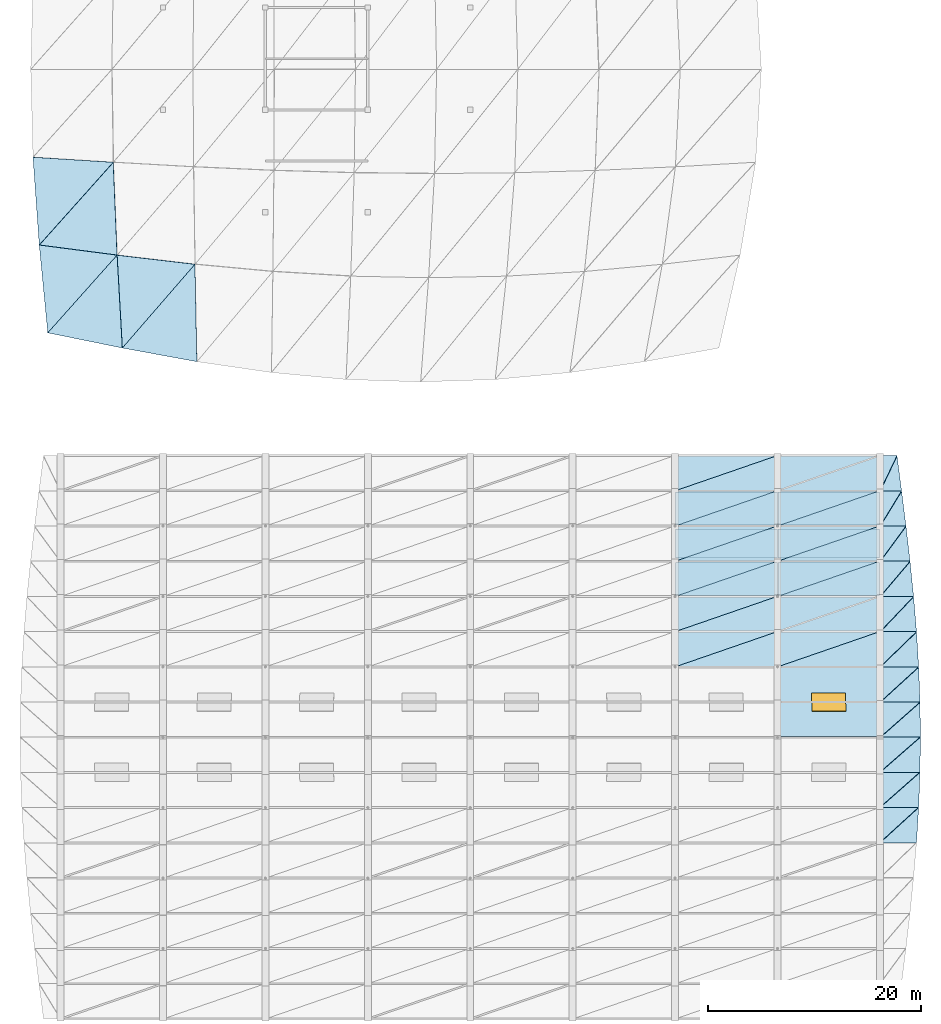
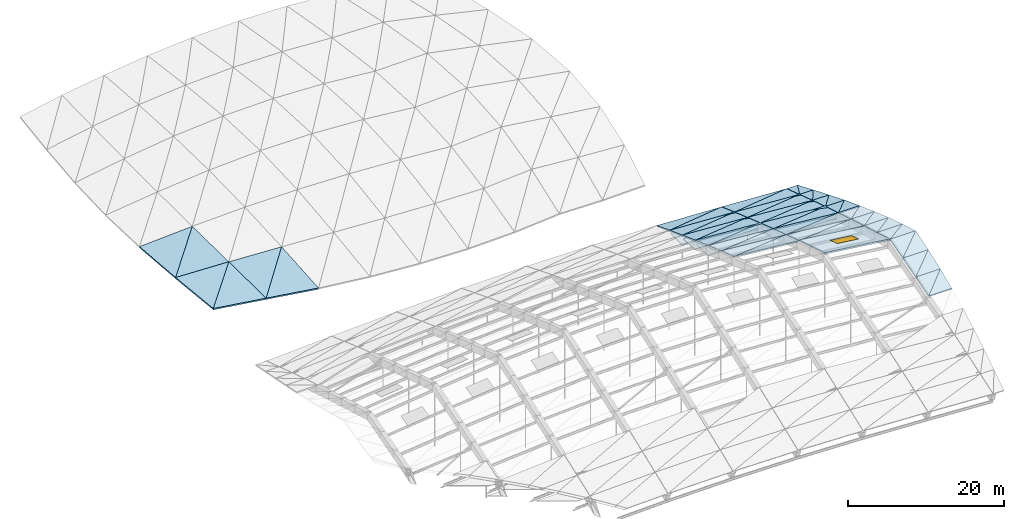
# One storey, part 41 of 43: 53 slabs, 6 plates, 1 window, 1 opening.
"""IFC4 building model written with IfcOpenShell, lengths in metres."""

from ifc_helpers import new_model, si_unit, direction, frame, origin, origin_2d, place, context, subcontext, project, spatial, polyline, rectangle, outline, extrude, material, layer, layer_set, type_object, element, fill, save


model = new_model("IFC4")

# Units and contexts
model_context = context("Model", 3, precision=1e-05, world=origin(), true_north=direction((0.0, 1.0)))
body_context = subcontext(model_context, "Body", "Model", "MODEL_VIEW")
ifc_project = project(units=[si_unit("LENGTHUNIT", "METRE"), si_unit("AREAUNIT", "SQUARE_METRE"), si_unit("VOLUMEUNIT", "CUBIC_METRE"), si_unit("PLANEANGLEUNIT", "RADIAN"), si_unit("MASSUNIT", "GRAM", prefix="KILO")], contexts=[model_context])

# Site, building, storey
site_placement = place(None, origin())
site = spatial("IfcSite", under=ifc_project, at=site_placement, CompositionType="ELEMENT")
building_placement = place(site_placement, origin())
building = spatial("IfcBuilding", under=site, at=building_placement, Name="Chalmorin Arch Market", CompositionType="ELEMENT")
storey_placement = place(building_placement, frame((0.0, 0.0, 18.60009765625)))
storey = spatial("IfcBuildingStorey", under=building, at=storey_placement, Name="RF", CompositionType="ELEMENT", Elevation=18.60009765625)

# Slabs
ifc_material_1 = material(Name="Concrete C40/50", Category="concrete")
ifc_layer_1 = layer(ifc_material_1, 0.22509765625)
ifc_layer_set_1 = layer_set([ifc_layer_1], Name="Concrete C40/50")
slab_type_1 = type_object("IfcSlabType", Name="StudioSlopedRoofSlab-225", PredefinedType="ROOF", material=ifc_layer_set_1)
slab_1_placement = place(storey_placement, frame((46.800048828125, 70.300048828125, -0.97705078125), z_axis=(-0.018614627086, -0.066364023255, 0.997621828187), x_axis=(0.979939325466, -0.199232538631, 0.005031297574)))
element("IfcSlab", 1, at=slab_1_placement, inside=storey, type_object=slab_type_1, Name="RS-225-238", PredefinedType="ROOF", context=body_context, shape_type="SweptSolid", body=[
    extrude(outline(polyline([(0.0, 0.0), (7.133084725473727, 8.283304597789254e-17), (4.921068269393221, 8.454847411434992), (0.0, 0.0)])), origin(), (0.0, 0.0, -1.0), 0.22509765625),
])
slab_2_placement = place(storey_placement, frame((46.800048828125, 70.300048828125, -0.97705078125), z_axis=(-0.068065309273, -0.022231620793, 0.99743313997), x_axis=(0.664437762672, 0.744772241264, 0.061941651403)))
element("IfcSlab", 2, at=slab_2_placement, inside=storey, type_object=slab_type_1, Name="RS-225-239", PredefinedType="ROOF", context=body_context, shape_type="SweptSolid", body=[
    extrude(outline(polyline([(0.0, 0.0), (9.782707072312745, 3.226585665316861e-16), (5.608044961808676, 6.081721491147879), (0.0, 0.0)])), origin(), (0.0, 0.0, -1.0), 0.22509765625),
])
slab_3_placement = place(storey_placement, frame((46.0, 78.532958984375, -0.84814453125), z_axis=(-0.071062325791, -0.045845400262, 0.996417756329), x_axis=(0.989614134099, -0.12838076406, 0.064670279189)))
element("IfcSlab", 3, at=slab_3_placement, inside=storey, type_object=slab_type_1, Name="RS-225-240", PredefinedType="ROOF", context=body_context, shape_type="SweptSolid", body=[
    extrude(outline(polyline([(0.0, 0.0), (7.376661848883155, 2.255140518769849e-16), (5.927696904577347, 8.601307676906162), (0.0, 0.0)])), origin(), (0.0, 0.0, -1.0), 0.22509765625),
])
slab_4_placement = place(storey_placement, frame((46.0, 78.532958984375, -0.84814453125), z_axis=(-0.108785767568, -0.011837729705, 0.993994730836), x_axis=(0.664453456879, 0.742865041396, 0.081566745146)))
element("IfcSlab", 4, at=slab_4_placement, inside=storey, type_object=slab_type_1, Name="RS-225-241", PredefinedType="ROOF", context=body_context, shape_type="SweptSolid", body=[
    extrude(outline(polyline([(0.0, 0.0), (10.446055922947222, 2.2898349882893854e-16), (5.730287776423112, 5.9421534298548275), (0.0, 0.0)])), origin(), (0.0, 0.0, -1.0), 0.22509765625),
])
slab_5_placement = place(storey_placement, frame((53.7900390625, 68.87890625, -0.941162109375), z_axis=(-0.006762550797, -0.104219173558, 0.994531362889), x_axis=(0.98349653212, -0.180513229587, -0.012228869597)))
element("IfcSlab", 5, at=slab_5_placement, inside=storey, type_object=slab_type_1, Name="RS-225-250", PredefinedType="ROOF", context=body_context, shape_type="SweptSolid", body=[
    extrude(outline(polyline([(0.0, 0.0), (7.107285085495491, 3.0878077872387166e-16), (5.269641357723449, 9.000993551193831), (0.0, 0.0)])), origin(), (0.0, 0.0, -1.0), 0.22509765625),
])
slab_6_placement = place(storey_placement, frame((53.7900390625, 68.87890625, -0.941162109375), z_axis=(-0.048787586157, -0.067988077015, 0.996492545291), x_axis=(0.652923557876, 0.752825965025, 0.08333003033)))
element("IfcSlab", 6, at=slab_6_placement, inside=storey, type_object=slab_type_1, Name="RS-225-251", PredefinedType="ROOF", context=body_context, shape_type="SweptSolid", body=[
    extrude(outline(polyline([(0.0, 0.0), (10.430100907837007, -4.3021142204224816e-16), (6.282456849808219, 6.075211723299667), (0.0, 0.0)])), origin(), (0.0, 0.0, -1.0), 0.22509765625),
])

# Slab, opening, window
ifc_layer_2 = layer(ifc_material_1, 0.199951171875)
ifc_layer_set_2 = layer_set([ifc_layer_2], Name="Concrete C40/50")
slab_type_2 = type_object("IfcSlabType", Name="VaultCrownRoofSlab-200", PredefinedType="ROOF", material=ifc_layer_set_2)
slab_7_placement = place(storey_placement, frame((115.219970703125, 32.47998046875, 6.6953125), z_axis=(0.11756412144, 0.284806112623, 0.951348598339), x_axis=(0.992450805584, 0.0, -0.122643379341)))
slab_7 = element("IfcSlab", 7, at=slab_7_placement, inside=storey, type_object=slab_type_2, Name="RS-200-541", PredefinedType="ROOF", context=body_context, shape_type="SweptSolid", body=[
    extrude(outline(polyline([(0.0, 0.0), (9.632778309980296, 5.551115123125783e-17), (9.87216644909852, 6.801711431021613), (0.2393881391182248, 6.801711431021612), (0.0, 0.0)])), origin(), (0.0, 0.0, -1.0), 0.199951171875),
])
opening_placement = place(slab_7_placement, frame((4.9345703125, 3.359130859375, -0.21484375)))
opening = element("IfcOpeningElement", 8, at=opening_placement, cuts=slab_7, Name="Opening SK-140", PredefinedType="OPENING", context=body_context, shape_type="SweptSolid", body=[
    extrude(rectangle(XDim=3.199951171875, YDim=1.800048828125, at=origin_2d()), origin(), (0.0, 0.0, 1.0), 0.22998046875),
])
ifc_material_2 = material(Name="Low-E Tempered Glass", Category="glass")
window_type = type_object("IfcWindowType", Name="VaultCrownSkylight-3200x1800", PartitioningType="SINGLE_PANEL", PredefinedType="SKYLIGHT", material=ifc_material_2)
window_placement = place(slab_7_placement, frame((4.9345703125, 3.359130859375, -0.050048828125)))
window = element("IfcWindow", 9, at=window_placement, inside=storey, type_object=window_type, Name="SK-140", OverallHeight=1.800048828125, OverallWidth=3.199951171875, PartitioningType="SINGLE_PANEL", PredefinedType="SKYLIGHT", context=body_context, shape_type="SweptSolid", body=[
    extrude(rectangle(XDim=3.199951171875, YDim=1.800048828125, at=origin_2d()), origin(), (0.0, 0.0, 1.0), 0.050048828125),
])
fill(opening, window)

# Plates
ifc_material_3 = material(Name="Precast concrete C40/50", Category="concrete")
ifc_layer_3 = layer(ifc_material_3, 0.06005859375)
ifc_layer_set_3 = layer_set([ifc_layer_3], Name="Precast concrete C40/50")
plate_type_1 = type_object("IfcPlateType", Name="VaultRoofCassette-9600x2700x60", PredefinedType="SHEET", material=ifc_layer_set_3)
for number, where, z_axis, x_axis, name in (
    (10, (110.39990234375, 50.550048828125, 0.376220703125), (0.0, 0.0, 1.0), (1.0, 0.0, 0.0), "VRC-02-087"),
    (11, (120.0, 50.550048828125, -0.32080078125), (0.0, 0.0, 1.0), (1.0, 0.0, 0.0), "VRC-02-093"),
):
    element("IfcPlate", number, at=place(storey_placement, frame(where, z_axis=z_axis, x_axis=x_axis)), inside=storey, type_object=plate_type_1, Name=name, PredefinedType="SHEET", context=body_context, shape_type="SweptSolid", body=[
        extrude(rectangle(XDim=9.550048828125, YDim=2.699951171875, at=origin_2d()), origin(), (0.0, 0.0, 1.0), 0.06005859375),
    ])
ifc_layer_4 = layer(ifc_material_3, 0.06005859375)
ifc_layer_set_4 = layer_set([ifc_layer_4], Name="Precast concrete C40/50")
plate_type_2 = type_object("IfcPlateType", Name="VaultRoofCassette-9600x3100x60", PredefinedType="SHEET", material=ifc_layer_set_4)
for number, where, z_axis, x_axis, name in (
    (12, (110.39990234375, 47.25, 1.53857421875), (0.0, 0.0, 1.0), (1.0, 0.0, 0.0), "VRC-01-086"),
    (13, (110.39990234375, 53.85009765625, -0.814453125), (0.0, 0.0, 1.0), (1.0, 0.0, 0.0), "VRC-01-088"),
    (14, (120.0, 47.25, 0.7607421875), (0.0, 0.0, 1.0), (1.0, 0.0, 0.0), "VRC-01-092"),
    (15, (120.0, 53.85009765625, -1.4287109375), (0.0, 0.0, 1.0), (1.0, 0.0, 0.0), "VRC-01-094"),
):
    element("IfcPlate", number, at=place(storey_placement, frame(where, z_axis=z_axis, x_axis=x_axis)), inside=storey, type_object=plate_type_2, Name=name, PredefinedType="SHEET", context=body_context, shape_type="SweptSolid", body=[
        extrude(rectangle(XDim=9.550048828125, YDim=3.10009765625, at=origin_2d()), origin(), (0.0, 0.0, 1.0), 0.06005859375),
    ])

# Slabs
ifc_layer_5 = layer(ifc_material_1, 0.18994140625)
ifc_layer_set_5 = layer_set([ifc_layer_5], Name="Concrete C40/50")
slab_type_3 = type_object("IfcSlabType", Name="VaultSlopedRoofSlab-190", PredefinedType="ROOF", material=ifc_layer_set_5)
slab_8_placement = place(storey_placement, frame((105.6201171875, 39.0, 5.53271484375), z_axis=(0.086803309027, 0.303406275694, 0.948899266209), x_axis=(0.995841975491, 0.0, -0.091097529336)))
element("IfcSlab", 16, at=slab_8_placement, inside=storey, type_object=slab_type_3, Name="RS-190-528", PredefinedType="ROOF", context=body_context, shape_type="SweptSolid", body=[
    extrude(outline(polyline([(0.0, 0.0), (9.599730367276402, 0.0), (9.69585427396339, 3.463304547958347), (0.0, 0.0)])), origin(), (0.0, 0.0, -1.0), 0.18994140625),
])
slab_9_placement = place(storey_placement, frame((105.6201171875, 39.0, 5.53271484375), z_axis=(0.079574350199, 0.321271161625, 0.943638046869), x_axis=(0.928513443569, 0.320522926085, -0.187424221926)))
element("IfcSlab", 17, at=slab_9_placement, inside=storey, type_object=slab_type_3, Name="RS-190-529", PredefinedType="ROOF", context=body_context, shape_type="SweptSolid", body=[
    extrude(outline(polyline([(0.0, 0.0), (10.295827722618668, 0.0), (1.2683190090824532, 3.247155741035376), (0.0, 0.0)])), origin(), (0.0, 0.0, -1.0), 0.18994140625),
])
slab_10_placement = place(storey_placement, frame((105.6201171875, 42.300048828125, 4.4091796875), z_axis=(0.079870353722, 0.310694328031, 0.94714822553), x_axis=(0.996463313136, 0.0, -0.084028956763)))
element("IfcSlab", 18, at=slab_10_placement, inside=storey, type_object=slab_type_3, Name="RS-190-530", PredefinedType="ROOF", context=body_context, shape_type="SweptSolid", body=[
    extrude(outline(polyline([(0.0, 0.0), (9.593744523360588, -2.7755575615628914e-17), (9.68470751024724, 3.4718721950215228), (0.0, 0.0)])), origin(), (0.0, 0.0, -1.0), 0.18994140625),
])
slab_11_placement = place(storey_placement, frame((105.6201171875, 42.300048828125, 4.4091796875), z_axis=(0.072500320786, 0.328863526391, 0.941590401659), x_axis=(0.929200106105, 0.320759962056, -0.183576168267)))
element("IfcSlab", 19, at=slab_11_placement, inside=storey, type_object=slab_type_3, Name="RS-190-531", PredefinedType="ROOF", context=body_context, shape_type="SweptSolid", body=[
    extrude(outline(polyline([(0.0, 0.0), (10.288219287009918, -1.1102230246251565e-16), (1.2701112054441774, 3.256623809934103), (0.0, 0.0)])), origin(), (0.0, 0.0, -1.0), 0.18994140625),
])
slab_12_placement = place(storey_placement, frame((105.6201171875, 45.60009765625, 3.256591796875), z_axis=(0.072786737575, 0.317947633527, 0.94531021002), x_axis=(0.99704879106, 0.0, -0.076770490718)))
element("IfcSlab", 20, at=slab_12_placement, inside=storey, type_object=slab_type_3, Name="RS-190-532", PredefinedType="ROOF", context=body_context, shape_type="SweptSolid", body=[
    extrude(outline(polyline([(0.0, 0.0), (9.588110971939729, -2.7755575615628914e-17), (9.673315720671246, 3.48040911812212), (0.0, 0.0)])), origin(), (0.0, 0.0, -1.0), 0.18994140625),
])
slab_13_placement = place(storey_placement, frame((105.6201171875, 45.60009765625, 3.256591796875), z_axis=(0.065281878355, 0.336411388673, 0.939449654814), x_axis=(0.929908350621, 0.320980699926, -0.17956015627)))
element("IfcSlab", 21, at=slab_13_placement, inside=storey, type_object=slab_type_3, Name="RS-190-533", PredefinedType="ROOF", context=body_context, shape_type="SweptSolid", body=[
    extrude(outline(polyline([(0.0, 0.0), (10.280383488046205, 6.661338147750939e-16), (1.2713491934921093, 3.266290980685023), (0.0, 0.0)])), origin(), (0.0, 0.0, -1.0), 0.18994140625),
])
slab_14_placement = place(storey_placement, frame((105.6201171875, 48.89990234375, 2.074951171875), z_axis=(0.065556704709, 0.325100138707, 0.943404588859), x_axis=(0.997594314234, 0.0, -0.069322321144)))
element("IfcSlab", 22, at=slab_14_placement, inside=storey, type_object=slab_type_3, Name="RS-190-534", PredefinedType="ROOF", context=body_context, shape_type="SweptSolid", body=[
    extrude(outline(polyline([(0.0, 0.0), (9.582867821845197, 0.0), (9.661701652872551, 3.4896056119594916), (0.0, 0.0)])), origin(), (0.0, 0.0, -1.0), 0.18994140625),
])
slab_15_placement = place(storey_placement, frame((105.6201171875, 48.89990234375, 2.074951171875), z_axis=(0.057898400341, 0.343907360004, 0.937216892172), x_axis=(0.930615073473, 0.321248408921, -0.175371162938)))
element("IfcSlab", 23, at=slab_15_placement, inside=storey, type_object=slab_type_3, Name="RS-190-535", PredefinedType="ROOF", context=body_context, shape_type="SweptSolid", body=[
    extrude(outline(polyline([(0.0, 0.0), (10.272576412767119, -7.771561172376096e-16), (1.2724989530181712, 3.276803062663835), (0.0, 0.0)])), origin(), (0.0, 0.0, -1.0), 0.18994140625),
])
slab_16_placement = place(storey_placement, frame((105.6201171875, 52.199951171875, 0.864013671875), z_axis=(0.058156072275, 0.332275035518, 0.941387896687), x_axis=(0.998097248777, 0.0, -0.061659403039)))
element("IfcSlab", 24, at=slab_16_placement, inside=storey, type_object=slab_type_3, Name="RS-190-536", PredefinedType="ROOF", context=body_context, shape_type="SweptSolid", body=[
    extrude(outline(polyline([(0.0, 0.0), (9.578039078692683, 0.0), (9.649859638238183, 3.498844278509911), (0.0, 0.0)])), origin(), (0.0, 0.0, -1.0), 0.18994140625),
])
slab_17_placement = place(storey_placement, frame((105.6201171875, 52.199951171875, 0.864013671875), z_axis=(0.050376988677, 0.351352103485, 0.934887083229), x_axis=(0.93133960941, 0.321498518793, -0.171012380715)))
element("IfcSlab", 25, at=slab_17_placement, inside=storey, type_object=slab_type_3, Name="RS-190-537", PredefinedType="ROOF", context=body_context, shape_type="SweptSolid", body=[
    extrude(outline(polyline([(0.0, 0.0), (10.26458485877339, -1.1102230246251565e-16), (1.2730562433014783, 3.2875266347714898), (0.0, 0.0)])), origin(), (0.0, 0.0, -1.0), 0.18994140625),
])
slab_18_placement = place(storey_placement, frame((105.6201171875, 55.5, -0.376220703125), z_axis=(0.050615159003, 0.339323526419, 0.939307005243), x_axis=(0.998551322998, 0.0, -0.053807576973)))
element("IfcSlab", 26, at=slab_18_placement, inside=storey, type_object=slab_type_3, Name="RS-190-538", PredefinedType="ROOF", context=body_context, shape_type="SweptSolid", body=[
    extrude(outline(polyline([(0.0, 0.0), (9.573683628425485, 2.7755575615628914e-17), (9.637829721774683, 3.5081907245326778), (0.0, 0.0)])), origin(), (0.0, 0.0, -1.0), 0.18994140625),
])
slab_19_placement = place(storey_placement, frame((105.6201171875, 55.5, -0.376220703125), z_axis=(0.042722548943, 0.35866056806, 0.932489882374), x_axis=(0.932076537229, 0.321752906344, -0.166458391216)))
element("IfcSlab", 27, at=slab_19_placement, inside=storey, type_object=slab_type_3, Name="RS-190-539", PredefinedType="ROOF", context=body_context, shape_type="SweptSolid", body=[
    extrude(outline(polyline([(0.0, 0.0), (10.256469368433788, 5.551115123125783e-16), (1.273083791745052, 3.298586014223484), (0.0, 0.0)])), origin(), (0.0, 0.0, -1.0), 0.18994140625),
])
slab_20_placement = place(storey_placement, frame((115.219970703125, 39.0, 4.658203125), z_axis=(0.102928238684, 0.281733537732, 0.953955969319), x_axis=(0.994229537793, 0.0, -0.1072736043)))
element("IfcSlab", 28, at=slab_20_placement, inside=storey, type_object=slab_type_3, Name="RS-190-554", PredefinedType="ROOF", context=body_context, shape_type="SweptSolid", body=[
    extrude(outline(polyline([(0.0, 0.0), (9.61554473121918, -5.551115123125783e-17), (9.720094591659924, 3.439368405467622), (0.0, 0.0)])), origin(), (0.0, 0.0, -1.0), 0.18994140625),
])
slab_21_placement = place(storey_placement, frame((115.219970703125, 39.0, 4.658203125), z_axis=(0.094321118226, 0.303198068061, 0.948248099487), x_axis=(0.927202360854, 0.320062166394, -0.194566162703)))
element("IfcSlab", 29, at=slab_21_placement, inside=storey, type_object=slab_type_3, Name="RS-190-555", PredefinedType="ROOF", context=body_context, shape_type="SweptSolid", body=[
    extrude(outline(polyline([(0.0, 0.0), (10.310649538188436, -2.220446049250313e-16), (1.2615222798720491, 3.2268064296967305), (0.0, 0.0)])), origin(), (0.0, 0.0, -1.0), 0.18994140625),
])
slab_22_placement = place(storey_placement, frame((115.219970703125, 42.300048828125, 3.60302734375), z_axis=(0.094767721083, 0.288633721807, 0.952737977451), x_axis=(0.995089386539, 0.0, -0.098980365713)))
element("IfcSlab", 30, at=slab_22_placement, inside=storey, type_object=slab_type_3, Name="RS-190-556", PredefinedType="ROOF", context=body_context, shape_type="SweptSolid", body=[
    extrude(outline(polyline([(0.0, 0.0), (9.607236016250294, 5.551115123125783e-17), (9.706192216834472, 3.44674363954295), (0.0, 0.0)])), origin(), (0.0, 0.0, -1.0), 0.18994140625),
])
slab_23_placement = place(storey_placement, frame((115.219970703125, 42.300048828125, 3.60302734375), z_axis=(0.085968249586, 0.310536181793, 0.946666118471), x_axis=(0.928160113978, 0.320392774417, -0.189386570067)))
element("IfcSlab", 31, at=slab_23_placement, inside=storey, type_object=slab_type_3, Name="RS-190-557", PredefinedType="ROOF", context=body_context, shape_type="SweptSolid", body=[
    extrude(outline(polyline([(0.0, 0.0), (10.300010148872081, 2.220446049250313e-16), (1.262326460809974, 3.2355374684719505), (0.0, 0.0)])), origin(), (0.0, 0.0, -1.0), 0.18994140625),
])
slab_24_placement = place(storey_placement, frame((115.219970703125, 45.60009765625, 2.5205078125), z_axis=(0.086398641133, 0.295572042888, 0.951405508852), x_axis=(0.995901957403, 0.0, -0.090439434101)))
element("IfcSlab", 32, at=slab_24_placement, inside=storey, type_object=slab_type_3, Name="RS-190-558", PredefinedType="ROOF", context=body_context, shape_type="SweptSolid", body=[
    extrude(outline(polyline([(0.0, 0.0), (9.599397332924068, -5.551115123125783e-17), (9.69211100084154, 3.4541338228063316), (0.0, 0.0)])), origin(), (0.0, 0.0, -1.0), 0.18994140625),
])
slab_25_placement = place(storey_placement, frame((115.219970703125, 45.60009765625, 2.5205078125), z_axis=(0.077440985769, 0.317835867829, 0.944977912358), x_axis=(0.929133426693, 0.32070502567, -0.1840091354)))
element("IfcSlab", 33, at=slab_25_placement, inside=storey, type_object=slab_type_3, Name="RS-190-559", PredefinedType="ROOF", context=body_context, shape_type="SweptSolid", body=[
    extrude(outline(polyline([(0.0, 0.0), (10.289220384387164, 1.1102230246251565e-16), (1.2624889298063755, 3.2444767191074657), (0.0, 0.0)])), origin(), (0.0, 0.0, -1.0), 0.18994140625),
])
slab_26_placement = place(storey_placement, frame((115.219970703125, 48.89990234375, 1.41064453125), z_axis=(0.077853398227, 0.302355902418, 0.950010398184), x_axis=(0.996658913962, 0.0, -0.081676246358)))
element("IfcSlab", 34, at=slab_26_placement, inside=storey, type_object=slab_type_3, Name="RS-190-560", PredefinedType="ROOF", context=body_context, shape_type="SweptSolid", body=[
    extrude(outline(polyline([(0.0, 0.0), (9.592106647340225, 0.0), (9.677890634604433, 3.4620916648384585), (0.0, 0.0)])), origin(), (0.0, 0.0, -1.0), 0.18994140625),
])
slab_27_placement = place(storey_placement, frame((115.219970703125, 48.89990234375, 1.41064453125), z_axis=(0.068720543412, 0.325030776846, 0.943203308421), x_axis=(0.930102136705, 0.321063143721, -0.178405361581)))
element("IfcSlab", 35, at=slab_27_placement, inside=storey, type_object=slab_type_3, Name="RS-190-561", PredefinedType="ROOF", context=body_context, shape_type="SweptSolid", body=[
    extrude(outline(polyline([(0.0, 0.0), (10.278504065821451, 2.220446049250313e-16), (1.262407882794319, 3.254210877830813), (0.0, 0.0)])), origin(), (0.0, 0.0, -1.0), 0.18994140625),
])
slab_28_placement = place(storey_placement, frame((115.219970703125, 52.199951171875, 0.2734375), z_axis=(0.069104405448, 0.309233974186, 0.948471892233), x_axis=(0.997356327314, 0.0, -0.072666060622)))
element("IfcSlab", 36, at=slab_28_placement, inside=storey, type_object=slab_type_3, Name="RS-190-562", PredefinedType="ROOF", context=body_context, shape_type="SweptSolid", body=[
    extrude(outline(polyline([(0.0, 0.0), (9.585399251934621, -2.7755575615628914e-17), (9.663582681905364, 3.4701340188650516), (0.0, 0.0)])), origin(), (0.0, 0.0, -1.0), 0.18994140625),
])
slab_29_placement = place(storey_placement, frame((115.219970703125, 52.199951171875, 0.2734375), z_axis=(0.059831505277, 0.332242080319, 0.94129452938), x_axis=(0.931076422829, 0.321399458792, -0.172624108222)))
element("IfcSlab", 37, at=slab_29_placement, inside=storey, type_object=slab_type_3, Name="RS-190-563", PredefinedType="ROOF", context=body_context, shape_type="SweptSolid", body=[
    extrude(outline(polyline([(0.0, 0.0), (10.267748553548914, -6.661338147750939e-16), (1.2617055919969236, 3.264225555496841), (0.0, 0.0)])), origin(), (0.0, 0.0, -1.0), 0.18994140625),
])
slab_30_placement = place(storey_placement, frame((115.219970703125, 55.5, -0.891357421875), z_axis=(0.06018605132, 0.315927684628, 0.946872397587), x_axis=(0.997985973277, 0.0, -0.063434983592)))
element("IfcSlab", 38, at=slab_30_placement, inside=storey, type_object=slab_type_3, Name="RS-190-564", PredefinedType="ROOF", context=body_context, shape_type="SweptSolid", body=[
    extrude(outline(polyline([(0.0, 0.0), (9.579351663994741, -2.7755575615628914e-17), (9.649198288994434, 3.4781903559439153), (0.0, 0.0)])), origin(), (0.0, 0.0, -1.0), 0.18994140625),
])
slab_31_placement = place(storey_placement, frame((115.219970703125, 55.5, -0.891357421875), z_axis=(0.050757425148, 0.339321073282, 0.939300214531), x_axis=(0.932057494114, 0.321738116041, -0.166593554352)))
element("IfcSlab", 39, at=slab_31_placement, inside=storey, type_object=slab_type_3, Name="RS-190-565", PredefinedType="ROOF", context=body_context, shape_type="SweptSolid", body=[
    extrude(outline(polyline([(0.0, 0.0), (10.256940858390204, 0.0), (1.260354111432918, 3.2746029369655205), (0.0, 0.0)])), origin(), (0.0, 0.0, -1.0), 0.18994140625),
])
slab_32_placement = place(storey_placement, frame((124.820068359375, 22.5, 2.652099609375), z_axis=(0.0, -0.283237875171, 0.959049689051), x_axis=(1.0, 0.0, 0.0)))
element("IfcSlab", 40, at=slab_32_placement, inside=storey, type_object=slab_type_3, Name="RS-190-608", PredefinedType="ROOF", context=body_context, shape_type="SweptSolid", body=[
    extrude(outline(polyline([(0.0, 0.0), (3.408935546875, 0.0), (3.613037109375, 3.440957090962786), (0.0, 0.0)])), origin(), (0.0, 0.0, -1.0), 0.18994140625),
])
slab_33_placement = place(storey_placement, frame((124.820068359375, 22.5, 2.652099609375), z_axis=(0.0, -0.283237875171, 0.959049689051), x_axis=(0.724140997103, 0.661410491104, 0.195335553783)))
element("IfcSlab", 41, at=slab_33_placement, inside=storey, type_object=slab_type_3, Name="RS-190-609", PredefinedType="ROOF", context=body_context, shape_type="SweptSolid", body=[
    extrude(outline(polyline([(0.0, 0.0), (4.989411073019333, 1.1102230246251565e-16), (2.3730627780649085, 2.4917380988398308), (0.0, 0.0)])), origin(), (0.0, 0.0, -1.0), 0.18994140625),
])
slab_34_placement = place(storey_placement, frame((124.820068359375, 25.800048828125, 3.626708984375), z_axis=(0.0, -0.276429733269, 0.961034131842), x_axis=(1.0, 0.0, 0.0)))
element("IfcSlab", 42, at=slab_34_placement, inside=storey, type_object=slab_type_3, Name="RS-190-610", PredefinedType="ROOF", context=body_context, shape_type="SweptSolid", body=[
    extrude(outline(polyline([(0.0, 0.0), (3.613037109375, 0.0), (3.738037109375, 3.433851846448934), (0.0, 0.0)])), origin(), (0.0, 0.0, -1.0), 0.18994140625),
])
slab_35_placement = place(storey_placement, frame((124.820068359375, 25.800048828125, 3.626708984375), z_axis=(0.0, -0.276429733269, 0.961034131842), x_axis=(0.736435596495, 0.650146950417, 0.187006831636)))
element("IfcSlab", 43, at=slab_35_placement, inside=storey, type_object=slab_type_3, Name="RS-190-611", PredefinedType="ROOF", context=body_context, shape_type="SweptSolid", body=[
    extrude(outline(polyline([(0.0, 0.0), (5.075850661162655, -2.220446049250313e-16), (2.3230270727980544, 2.5288107328165257), (0.0, 0.0)])), origin(), (0.0, 0.0, -1.0), 0.18994140625),
])
slab_36_placement = place(storey_placement, frame((124.820068359375, 29.10009765625, 4.575927734375), z_axis=(0.0, -0.26966427964, 0.9629543999), x_axis=(1.0, 0.0, 0.0)))
element("IfcSlab", 44, at=slab_36_placement, inside=storey, type_object=slab_type_3, Name="RS-190-612", PredefinedType="ROOF", context=body_context, shape_type="SweptSolid", body=[
    extrude(outline(polyline([(0.0, 0.0), (3.738037109375, 0.0), (3.780029296875, 3.4267507244829316), (0.0, 0.0)])), origin(), (0.0, 0.0, -1.0), 0.18994140625),
])
slab_37_placement = place(storey_placement, frame((124.820068359375, 29.10009765625, 4.575927734375), z_axis=(0.0, -0.26966427964, 0.9629543999), x_axis=(0.740879743616, 0.646756482252, 0.181116697642)))
element("IfcSlab", 45, at=slab_37_placement, inside=storey, type_object=slab_type_3, Name="RS-190-613", PredefinedType="ROOF", context=body_context, shape_type="SweptSolid", body=[
    extrude(outline(polyline([(0.0, 0.0), (5.102082125267841, -2.220446049250313e-16), (2.301534988939021, 2.538810198190041), (0.0, 0.0)])), origin(), (0.0, 0.0, -1.0), 0.18994140625),
])
slab_38_placement = place(storey_placement, frame((124.820068359375, 32.39990234375, 5.5), z_axis=(0.0, 0.269645780223, 0.962959580257), x_axis=(1.0, 0.0, 0.0)))
element("IfcSlab", 46, at=slab_38_placement, inside=storey, type_object=slab_type_3, Name="RS-190-614", PredefinedType="ROOF", context=body_context, shape_type="SweptSolid", body=[
    extrude(outline(polyline([(0.0, 0.0), (3.780029296875, 0.0), (3.738037109375, 3.426985821404359), (0.0, 0.0)])), origin(), (0.0, 0.0, -1.0), 0.18994140625),
])
slab_39_placement = place(storey_placement, frame((124.820068359375, 32.39990234375, 5.5), z_axis=(0.0, 0.269645780223, 0.962959580257), x_axis=(0.737109760671, 0.650742122329, -0.182219348451)))
element("IfcSlab", 47, at=slab_39_placement, inside=storey, type_object=slab_type_3, Name="RS-190-615", PredefinedType="ROOF", context=body_context, shape_type="SweptSolid", body=[
    extrude(outline(polyline([(0.0, 0.0), (5.071208263438914, -5.828670879282072e-16), (2.315864624369115, 2.52606469863743), (0.0, 0.0)])), origin(), (0.0, 0.0, -1.0), 0.18994140625),
])
slab_40_placement = place(storey_placement, frame((124.820068359375, 35.699951171875, 4.575927734375), z_axis=(0.0, 0.276429733269, 0.961034131842), x_axis=(1.0, 0.0, 0.0)))
element("IfcSlab", 48, at=slab_40_placement, inside=storey, type_object=slab_type_3, Name="RS-190-616", PredefinedType="ROOF", context=body_context, shape_type="SweptSolid", body=[
    extrude(outline(polyline([(0.0, 0.0), (3.738037109375, 0.0), (3.613037109375, 3.433851846448934), (0.0, 0.0)])), origin(), (0.0, 0.0, -1.0), 0.18994140625),
])
slab_41_placement = place(storey_placement, frame((124.820068359375, 35.699951171875, 4.575927734375), z_axis=(0.0, 0.276429733269, 0.961034131842), x_axis=(0.724852495506, 0.662060354197, -0.190433576764)))
element("IfcSlab", 49, at=slab_41_placement, inside=storey, type_object=slab_type_3, Name="RS-190-617", PredefinedType="ROOF", context=body_context, shape_type="SweptSolid", body=[
    extrude(outline(polyline([(0.0, 0.0), (4.98451358279638, 2.220446049250313e-16), (2.365594617709046, 2.4890360800974225), (0.0, 0.0)])), origin(), (0.0, 0.0, -1.0), 0.18994140625),
])
slab_42_placement = place(storey_placement, frame((124.820068359375, 39.0, 3.626708984375), z_axis=(0.0, 0.283237875171, 0.959049689051), x_axis=(1.0, 0.0, 0.0)))
element("IfcSlab", 50, at=slab_42_placement, inside=storey, type_object=slab_type_3, Name="RS-190-618", PredefinedType="ROOF", context=body_context, shape_type="SweptSolid", body=[
    extrude(outline(polyline([(0.0, 0.0), (3.613037109375, 0.0), (3.408935546875, 3.4409570909627853), (0.0, 0.0)])), origin(), (0.0, 0.0, -1.0), 0.18994140625),
])
slab_43_placement = place(storey_placement, frame((124.820068359375, 39.0, 3.626708984375), z_axis=(0.0, 0.283237875171, 0.959049689051), x_axis=(0.703793542823, 0.681313279262, -0.201213480122)))
element("IfcSlab", 51, at=slab_43_placement, inside=storey, type_object=slab_type_3, Name="RS-190-619", PredefinedType="ROOF", context=body_context, shape_type="SweptSolid", body=[
    extrude(outline(polyline([(0.0, 0.0), (4.843658458706088, -1.1102230246251565e-16), (2.4444716329173235, 2.4217233817489547), (0.0, 0.0)])), origin(), (0.0, 0.0, -1.0), 0.18994140625),
])
slab_44_placement = place(storey_placement, frame((124.820068359375, 42.300048828125, 2.652099609375), z_axis=(0.0, 0.2899386161, 0.957045243912), x_axis=(1.0, 0.0, 0.0)))
element("IfcSlab", 52, at=slab_44_placement, inside=storey, type_object=slab_type_3, Name="RS-190-620", PredefinedType="ROOF", context=body_context, shape_type="SweptSolid", body=[
    extrude(outline(polyline([(0.0, 0.0), (3.408935546875, 0.0), (3.135986328125, 3.448163865938484), (0.0, 0.0)])), origin(), (0.0, 0.0, -1.0), 0.18994140625),
])
slab_45_placement = place(storey_placement, frame((124.820068359375, 42.300048828125, 2.652099609375), z_axis=(0.0, 0.2899386161, 0.957045243912), x_axis=(0.672824537705, 0.708024077552, -0.214497195944)))
element("IfcSlab", 53, at=slab_45_placement, inside=storey, type_object=slab_type_3, Name="RS-190-621", PredefinedType="ROOF", context=body_context, shape_type="SweptSolid", body=[
    extrude(outline(polyline([(0.0, 0.0), (4.660927407346177, 5.551115123125783e-16), (2.550958855875772, 2.3200092590316967), (0.0, 0.0)])), origin(), (0.0, 0.0, -1.0), 0.18994140625),
])
slab_46_placement = place(storey_placement, frame((124.820068359375, 45.60009765625, 1.65234375), z_axis=(0.0, 0.29668143981, 0.954976504042), x_axis=(1.0, 0.0, 0.0)))
element("IfcSlab", 54, at=slab_46_placement, inside=storey, type_object=slab_type_3, Name="RS-190-622", PredefinedType="ROOF", context=body_context, shape_type="SweptSolid", body=[
    extrude(outline(polyline([(0.0, 0.0), (3.135986328125, 0.0), (2.802001953125, 3.455377879490664), (0.0, 0.0)])), origin(), (0.0, 0.0, -1.0), 0.18994140625),
])
slab_47_placement = place(storey_placement, frame((124.820068359375, 45.60009765625, 1.65234375), z_axis=(0.0, 0.29668143981, 0.954976504042), x_axis=(0.629848640845, 0.741747340739, -0.230437783646)))
element("IfcSlab", 55, at=slab_47_placement, inside=storey, type_object=slab_type_3, Name="RS-190-623", PredefinedType="ROOF", context=body_context, shape_type="SweptSolid", body=[
    extrude(outline(polyline([(0.0, 0.0), (4.448690957505332, -3.608224830031759e-16), (2.6838538356839963, 2.1763650610037133), (0.0, 0.0)])), origin(), (0.0, 0.0, -1.0), 0.18994140625),
])
slab_48_placement = place(storey_placement, frame((124.820068359375, 48.89990234375, 0.627197265625), z_axis=(0.0, 0.303276401485, 0.952902631071), x_axis=(1.0, 0.0, 0.0)))
element("IfcSlab", 56, at=slab_48_placement, inside=storey, type_object=slab_type_3, Name="RS-190-624", PredefinedType="ROOF", context=body_context, shape_type="SweptSolid", body=[
    extrude(outline(polyline([(0.0, 0.0), (2.802001953125, 0.0), (2.421875, 3.4631542830510567), (0.0, 0.0)])), origin(), (0.0, 0.0, -1.0), 0.18994140625),
])
slab_49_placement = place(storey_placement, frame((124.820068359375, 48.89990234375, 0.627197265625), z_axis=(0.0, 0.303276401485, 0.952902631071), x_axis=(0.573091775167, 0.780895315014, -0.2485323404)))
element("IfcSlab", 57, at=slab_49_placement, inside=storey, type_object=slab_type_3, Name="RS-190-625", PredefinedType="ROOF", context=body_context, shape_type="SweptSolid", body=[
    extrude(outline(polyline([(0.0, 0.0), (4.225981081812822, 1.1102230246251565e-16), (2.838024438829253, 1.9847052357523474), (0.0, 0.0)])), origin(), (0.0, 0.0, -1.0), 0.18994140625),
])
slab_50_placement = place(storey_placement, frame((124.820068359375, 52.199951171875, -0.423095703125), z_axis=(0.0, 0.309974990116, 0.950744711004), x_axis=(1.0, 0.0, 0.0)))
element("IfcSlab", 58, at=slab_50_placement, inside=storey, type_object=slab_type_3, Name="RS-190-626", PredefinedType="ROOF", context=body_context, shape_type="SweptSolid", body=[
    extrude(outline(polyline([(0.0, 0.0), (2.421875, 0.0), (2.009033203125, 3.471014658224091), (0.0, 0.0)])), origin(), (0.0, 0.0, -1.0), 0.18994140625),
])
slab_51_placement = place(storey_placement, frame((124.820068359375, 52.199951171875, -0.423095703125), z_axis=(0.0, 0.309974990116, 0.950744711004), x_axis=(0.500942593906, 0.822851019788, -0.268277313324)))
element("IfcSlab", 59, at=slab_51_placement, inside=storey, type_object=slab_type_3, Name="RS-190-627", PredefinedType="ROOF", context=body_context, shape_type="SweptSolid", body=[
    extrude(outline(polyline([(0.0, 0.0), (4.010505849498939, 2.498001805406602e-16), (3.004095545481312, 1.738779086378096), (0.0, 0.0)])), origin(), (0.0, 0.0, -1.0), 0.18994140625),
])
slab_52_placement = place(storey_placement, frame((124.820068359375, 55.5, -1.4990234375), z_axis=(0.0, 0.316501445903, 0.948592027555), x_axis=(1.0, 0.0, 0.0)))
element("IfcSlab", 60, at=slab_52_placement, inside=storey, type_object=slab_type_3, Name="RS-190-628", PredefinedType="ROOF", context=body_context, shape_type="SweptSolid", body=[
    extrude(outline(polyline([(0.0, 0.0), (2.009033203125, 0.0), (1.579833984375, 3.4788915911831904), (0.0, 0.0)])), origin(), (0.0, 0.0, -1.0), 0.18994140625),
])
slab_53_placement = place(storey_placement, frame((124.820068359375, 55.5, -1.4990234375), z_axis=(0.0, 0.316501445903, 0.948592027555), x_axis=(0.413481811917, 0.863704783137, -0.288178484275)))
element("IfcSlab", 61, at=slab_53_placement, inside=storey, type_object=slab_type_3, Name="RS-190-629", PredefinedType="ROOF", context=body_context, shape_type="SweptSolid", body=[
    extrude(outline(polyline([(0.0, 0.0), (3.8208064752603335, -1.1102230246251565e-16), (3.167573856872843, 1.4384583985853778), (0.0, 0.0)])), origin(), (0.0, 0.0, -1.0), 0.18994140625),
])

save(model, "model.ifc")
